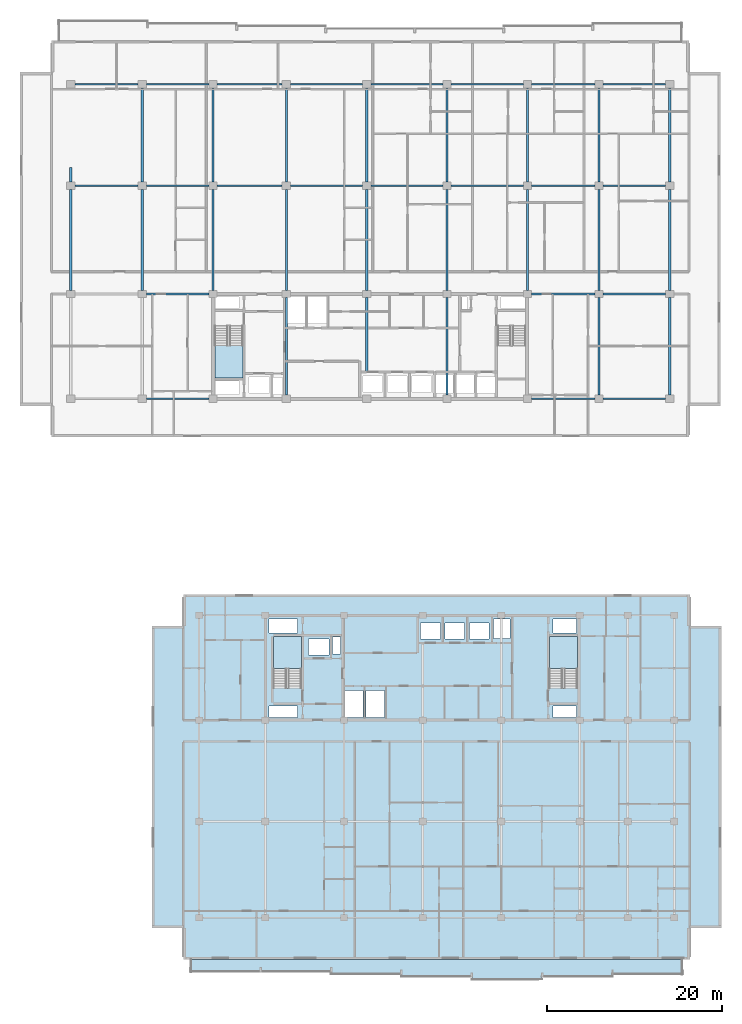
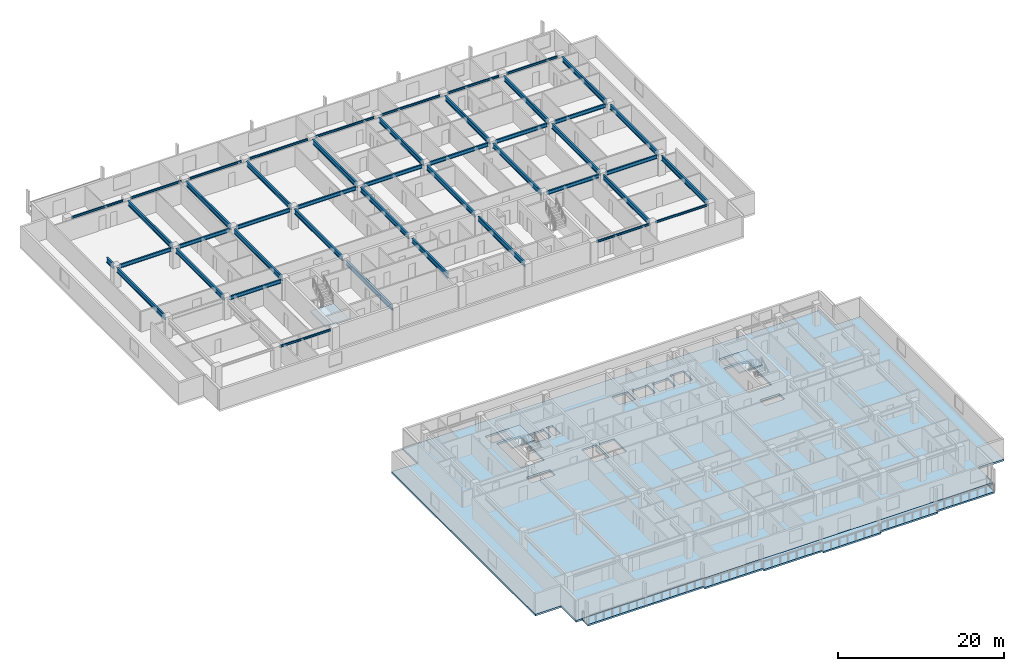
# One storey, part 2 of 21: 45 beams, 5 slabs, 3 elements without a shape of their own.
"""IFC4 building model written with IfcOpenShell, lengths in metres."""

from ifc_helpers import new_model, si_unit, direction, frame, origin, origin_2d, place, context, subcontext, project, spatial, polyline, i_section, outline, extrude, material, layer, layer_set, material_profile, profile_set, type_object, element, aggregate, save


model = new_model("IFC4")

# Units and contexts
model_context = context("Model", 3, precision=1e-05, world=origin(), true_north=direction((0.0, 1.0)))
body_context = subcontext(model_context, "Body", "Model", "MODEL_VIEW")
ifc_project = project(units=[si_unit("LENGTHUNIT", "METRE"), si_unit("AREAUNIT", "SQUARE_METRE"), si_unit("VOLUMEUNIT", "CUBIC_METRE"), si_unit("PLANEANGLEUNIT", "RADIAN"), si_unit("MASSUNIT", "GRAM", prefix="KILO")], contexts=[model_context])

# Site, building, storey
site_placement = place(None, origin())
site = spatial("IfcSite", under=ifc_project, at=site_placement, CompositionType="ELEMENT")
building_placement = place(site_placement, origin())
building = spatial("IfcBuilding", under=site, at=building_placement, Name="Korimba Cascade Residences", CompositionType="ELEMENT")
storey_placement = place(building_placement, frame((0.0, 0.0, 113.300048828125)))
storey = spatial("IfcBuildingStorey", under=building, at=storey_placement, Name="L32", CompositionType="ELEMENT", Elevation=113.300048828125)

# Beams
ifc_material_1 = material(Name="Steel S355", Category="steel")
ifc_material_profile_1 = material_profile(ifc_material_1, i_section(OverallWidth=0.165771484375, OverallDepth=0.306640625, WebThickness=0.006591796875, FlangeThickness=0.01171875, FilletRadius=0.0087890625, at=origin_2d()), Name="Steel S355")
ifc_profile_set_1 = profile_set([ifc_material_profile_1], Name="Steel S355")
beam_type_1 = type_object("IfcBeamType", Name="BM-STL-UB305", PredefinedType="SPANDREL", material=ifc_profile_set_1)
beam_1_placement = place(storey_placement, frame((68.47509765625, 55.199951171875, 2.816650390625), z_axis=(1.0, 0.0, 0.0), x_axis=(0.0, 1.0, 0.0)))
element("IfcBeam", 1, at=beam_1_placement, inside=storey, type_object=beam_type_1, Name="L32 T1 E-W Girder Y1 Bay 2", PredefinedType="SPANDREL", context=body_context, shape_type="SweptSolid", body=[
    extrude(i_section(OverallWidth=0.165771484375, OverallDepth=0.306640625, WebThickness=0.006591796875, FlangeThickness=0.01171875, FilletRadius=0.0087890625, at=origin_2d()), origin(), (0.0, 0.0, 1.0), 7.14990234375),
])
beam_2_placement = place(storey_placement, frame((112.574951171875, 55.199951171875, 2.816650390625), z_axis=(1.0, 0.0, 0.0), x_axis=(0.0, 1.0, 0.0)))
element("IfcBeam", 2, at=beam_2_placement, inside=storey, type_object=beam_type_1, Name="L32 T1 E-W Girder Y1 Bay 7", PredefinedType="SPANDREL", context=body_context, shape_type="SweptSolid", body=[
    extrude(i_section(OverallWidth=0.165771484375, OverallDepth=0.306640625, WebThickness=0.006591796875, FlangeThickness=0.01171875, FilletRadius=0.0087890625, at=origin_2d()), origin(), (0.0, 0.0, 1.0), 7.25),
])
beam_3_placement = place(storey_placement, frame((120.77490234375, 55.199951171875, 2.816650390625), z_axis=(1.0, 0.0, 0.0), x_axis=(0.0, 1.0, 0.0)))
element("IfcBeam", 3, at=beam_3_placement, inside=storey, type_object=beam_type_1, Name="L32 T1 E-W Girder Y1 Bay 8", PredefinedType="SPANDREL", context=body_context, shape_type="SweptSolid", body=[
    extrude(i_section(OverallWidth=0.165771484375, OverallDepth=0.306640625, WebThickness=0.006591796875, FlangeThickness=0.01171875, FilletRadius=0.0087890625, at=origin_2d()), origin(), (0.0, 0.0, 1.0), 7.150146484375),
])
beam_4_placement = place(storey_placement, frame((60.27490234375, 91.199951171875, 2.816650390625), z_axis=(1.0, 0.0, 0.0), x_axis=(0.0, 1.0, 0.0)))
element("IfcBeam", 4, at=beam_4_placement, inside=storey, type_object=beam_type_1, Name="L32 T1 E-W Girder Y4 Bay 1", PredefinedType="SPANDREL", context=body_context, shape_type="SweptSolid", body=[
    extrude(i_section(OverallWidth=0.165771484375, OverallDepth=0.306640625, WebThickness=0.006591796875, FlangeThickness=0.01171875, FilletRadius=0.0087890625, at=origin_2d()), origin(), (0.0, 0.0, 1.0), 7.25),
])
beam_5_placement = place(storey_placement, frame((68.47509765625, 91.199951171875, 2.816650390625), z_axis=(1.0, 0.0, 0.0), x_axis=(0.0, 1.0, 0.0)))
element("IfcBeam", 5, at=beam_5_placement, inside=storey, type_object=beam_type_1, Name="L32 T1 E-W Girder Y4 Bay 2", PredefinedType="SPANDREL", context=body_context, shape_type="SweptSolid", body=[
    extrude(i_section(OverallWidth=0.165771484375, OverallDepth=0.306640625, WebThickness=0.006591796875, FlangeThickness=0.01171875, FilletRadius=0.0087890625, at=origin_2d()), origin(), (0.0, 0.0, 1.0), 7.14990234375),
])
beam_6_placement = place(storey_placement, frame((76.574951171875, 91.199951171875, 2.816650390625), z_axis=(1.0, 0.0, 0.0), x_axis=(0.0, 1.0, 0.0)))
element("IfcBeam", 6, at=beam_6_placement, inside=storey, type_object=beam_type_1, Name="L32 T1 E-W Girder Y4 Bay 3", PredefinedType="SPANDREL", context=body_context, shape_type="SweptSolid", body=[
    extrude(i_section(OverallWidth=0.165771484375, OverallDepth=0.306640625, WebThickness=0.006591796875, FlangeThickness=0.01171875, FilletRadius=0.0087890625, at=origin_2d()), origin(), (0.0, 0.0, 1.0), 7.449951171875),
])
for number, where, z_axis, x_axis, name in (
    (7, (84.97509765625, 91.199951171875, 2.816650390625), (1.0, 0.0, 0.0), (0.0, 1.0, 0.0), "L32 T1 E-W Girder Y4 Bay 4"),
    (8, (94.175048828125, 91.199951171875, 2.816650390625), (1.0, 0.0, 0.0), (0.0, 1.0, 0.0), "L32 T1 E-W Girder Y4 Bay 5"),
    (9, (103.375, 91.199951171875, 2.816650390625), (1.0, 0.0, 0.0), (0.0, 1.0, 0.0), "L32 T1 E-W Girder Y4 Bay 6"),
):
    element("IfcBeam", number, at=place(storey_placement, frame(where, z_axis=z_axis, x_axis=x_axis)), inside=storey, type_object=beam_type_1, Name=name, PredefinedType="SPANDREL", context=body_context, shape_type="SweptSolid", body=[
        extrude(i_section(OverallWidth=0.165771484375, OverallDepth=0.306640625, WebThickness=0.006591796875, FlangeThickness=0.01171875, FilletRadius=0.0087890625, at=origin_2d()), origin(), (0.0, 0.0, 1.0), 8.25),
    ])
beam_7_placement = place(storey_placement, frame((112.574951171875, 91.199951171875, 2.816650390625), z_axis=(1.0, 0.0, 0.0), x_axis=(0.0, 1.0, 0.0)))
element("IfcBeam", 10, at=beam_7_placement, inside=storey, type_object=beam_type_1, Name="L32 T1 E-W Girder Y4 Bay 7", PredefinedType="SPANDREL", context=body_context, shape_type="SweptSolid", body=[
    extrude(i_section(OverallWidth=0.165771484375, OverallDepth=0.306640625, WebThickness=0.006591796875, FlangeThickness=0.01171875, FilletRadius=0.0087890625, at=origin_2d()), origin(), (0.0, 0.0, 1.0), 7.25),
])
beam_8_placement = place(storey_placement, frame((120.77490234375, 91.199951171875, 2.816650390625), z_axis=(1.0, 0.0, 0.0), x_axis=(0.0, 1.0, 0.0)))
element("IfcBeam", 11, at=beam_8_placement, inside=storey, type_object=beam_type_1, Name="L32 T1 E-W Girder Y4 Bay 8", PredefinedType="SPANDREL", context=body_context, shape_type="SweptSolid", body=[
    extrude(i_section(OverallWidth=0.165771484375, OverallDepth=0.306640625, WebThickness=0.006591796875, FlangeThickness=0.01171875, FilletRadius=0.0087890625, at=origin_2d()), origin(), (0.0, 0.0, 1.0), 7.150146484375),
])
ifc_material_profile_2 = material_profile(ifc_material_1, i_section(OverallWidth=0.2099609375, OverallDepth=0.53662109375, WebThickness=0.0107421875, FlangeThickness=0.017333984375, FilletRadius=0.0126953125, at=origin_2d()), Name="Steel S355")
ifc_profile_set_2 = profile_set([ifc_material_profile_2], Name="Steel S355")
beam_type_2 = type_object("IfcBeamType", Name="BM-STL-UB533", PredefinedType="BEAM", material=ifc_profile_set_2)
beam_9_placement = place(storey_placement, frame((68.47509765625, 67.199951171875, 2.70166015625), z_axis=(1.0, 0.0, 0.0), x_axis=(0.0, 1.0, 0.0)))
element("IfcBeam", 12, at=beam_9_placement, inside=storey, type_object=beam_type_2, Name="L32 T1 E-W Girder Y2 Bay 2", PredefinedType="BEAM", context=body_context, shape_type="SweptSolid", body=[
    extrude(i_section(OverallWidth=0.2099609375, OverallDepth=0.53662109375, WebThickness=0.0107421875, FlangeThickness=0.017333984375, FilletRadius=0.0126953125, at=origin_2d()), origin(), (0.0, 0.0, 1.0), 7.14990234375),
])
beam_10_placement = place(storey_placement, frame((112.574951171875, 67.199951171875, 2.70166015625), z_axis=(1.0, 0.0, 0.0), x_axis=(0.0, 1.0, 0.0)))
element("IfcBeam", 13, at=beam_10_placement, inside=storey, type_object=beam_type_2, Name="L32 T1 E-W Girder Y2 Bay 7", PredefinedType="BEAM", context=body_context, shape_type="SweptSolid", body=[
    extrude(i_section(OverallWidth=0.2099609375, OverallDepth=0.53662109375, WebThickness=0.0107421875, FlangeThickness=0.017333984375, FilletRadius=0.0126953125, at=origin_2d()), origin(), (0.0, 0.0, 1.0), 7.25),
])
beam_11_placement = place(storey_placement, frame((120.77490234375, 67.199951171875, 2.70166015625), z_axis=(1.0, 0.0, 0.0), x_axis=(0.0, 1.0, 0.0)))
element("IfcBeam", 14, at=beam_11_placement, inside=storey, type_object=beam_type_2, Name="L32 T1 E-W Girder Y2 Bay 8", PredefinedType="BEAM", context=body_context, shape_type="SweptSolid", body=[
    extrude(i_section(OverallWidth=0.2099609375, OverallDepth=0.53662109375, WebThickness=0.0107421875, FlangeThickness=0.017333984375, FilletRadius=0.0126953125, at=origin_2d()), origin(), (0.0, 0.0, 1.0), 7.150146484375),
])
beam_12_placement = place(storey_placement, frame((60.27490234375, 79.60009765625, 2.70166015625), z_axis=(1.0, 0.0, 0.0), x_axis=(0.0, 1.0, 0.0)))
element("IfcBeam", 15, at=beam_12_placement, inside=storey, type_object=beam_type_2, Name="L32 T1 E-W Girder Y3 Bay 1", PredefinedType="BEAM", context=body_context, shape_type="SweptSolid", body=[
    extrude(i_section(OverallWidth=0.2099609375, OverallDepth=0.53662109375, WebThickness=0.0107421875, FlangeThickness=0.017333984375, FilletRadius=0.0126953125, at=origin_2d()), origin(), (0.0, 0.0, 1.0), 7.25),
])
beam_13_placement = place(storey_placement, frame((68.47509765625, 79.60009765625, 2.70166015625), z_axis=(1.0, 0.0, 0.0), x_axis=(0.0, 1.0, 0.0)))
element("IfcBeam", 16, at=beam_13_placement, inside=storey, type_object=beam_type_2, Name="L32 T1 E-W Girder Y3 Bay 2", PredefinedType="BEAM", context=body_context, shape_type="SweptSolid", body=[
    extrude(i_section(OverallWidth=0.2099609375, OverallDepth=0.53662109375, WebThickness=0.0107421875, FlangeThickness=0.017333984375, FilletRadius=0.0126953125, at=origin_2d()), origin(), (0.0, 0.0, 1.0), 7.14990234375),
])
beam_14_placement = place(storey_placement, frame((76.574951171875, 79.60009765625, 2.70166015625), z_axis=(1.0, 0.0, 0.0), x_axis=(0.0, 1.0, 0.0)))
element("IfcBeam", 17, at=beam_14_placement, inside=storey, type_object=beam_type_2, Name="L32 T1 E-W Girder Y3 Bay 3", PredefinedType="BEAM", context=body_context, shape_type="SweptSolid", body=[
    extrude(i_section(OverallWidth=0.2099609375, OverallDepth=0.53662109375, WebThickness=0.0107421875, FlangeThickness=0.017333984375, FilletRadius=0.0126953125, at=origin_2d()), origin(), (0.0, 0.0, 1.0), 7.449951171875),
])
for number, where, z_axis, x_axis, name in (
    (18, (84.97509765625, 79.60009765625, 2.70166015625), (1.0, 0.0, 0.0), (0.0, 1.0, 0.0), "L32 T1 E-W Girder Y3 Bay 4"),
    (19, (94.175048828125, 79.60009765625, 2.70166015625), (1.0, 0.0, 0.0), (0.0, 1.0, 0.0), "L32 T1 E-W Girder Y3 Bay 5"),
    (20, (103.375, 79.60009765625, 2.70166015625), (1.0, 0.0, 0.0), (0.0, 1.0, 0.0), "L32 T1 E-W Girder Y3 Bay 6"),
):
    element("IfcBeam", number, at=place(storey_placement, frame(where, z_axis=z_axis, x_axis=x_axis)), inside=storey, type_object=beam_type_2, Name=name, PredefinedType="BEAM", context=body_context, shape_type="SweptSolid", body=[
        extrude(i_section(OverallWidth=0.2099609375, OverallDepth=0.53662109375, WebThickness=0.0107421875, FlangeThickness=0.017333984375, FilletRadius=0.0126953125, at=origin_2d()), origin(), (0.0, 0.0, 1.0), 8.25),
    ])
beam_15_placement = place(storey_placement, frame((112.574951171875, 79.60009765625, 2.70166015625), z_axis=(1.0, 0.0, 0.0), x_axis=(0.0, 1.0, 0.0)))
element("IfcBeam", 21, at=beam_15_placement, inside=storey, type_object=beam_type_2, Name="L32 T1 E-W Girder Y3 Bay 7", PredefinedType="BEAM", context=body_context, shape_type="SweptSolid", body=[
    extrude(i_section(OverallWidth=0.2099609375, OverallDepth=0.53662109375, WebThickness=0.0107421875, FlangeThickness=0.017333984375, FilletRadius=0.0126953125, at=origin_2d()), origin(), (0.0, 0.0, 1.0), 7.25),
])
beam_16_placement = place(storey_placement, frame((120.77490234375, 79.60009765625, 2.70166015625), z_axis=(1.0, 0.0, 0.0), x_axis=(0.0, 1.0, 0.0)))
element("IfcBeam", 22, at=beam_16_placement, inside=storey, type_object=beam_type_2, Name="L32 T1 E-W Girder Y3 Bay 8", PredefinedType="BEAM", context=body_context, shape_type="SweptSolid", body=[
    extrude(i_section(OverallWidth=0.2099609375, OverallDepth=0.53662109375, WebThickness=0.0107421875, FlangeThickness=0.017333984375, FilletRadius=0.0126953125, at=origin_2d()), origin(), (0.0, 0.0, 1.0), 7.150146484375),
])
ifc_material_profile_3 = material_profile(ifc_material_1, i_section(OverallWidth=0.255859375, OverallDepth=0.69287109375, WebThickness=0.014404296875, FlangeThickness=0.023681640625, FilletRadius=0.01513671875, at=origin_2d()), Name="Steel S355")
ifc_profile_set_3 = profile_set([ifc_material_profile_3], Name="Steel S355")
beam_type_3 = type_object("IfcBeamType", Name="BM-STL-UB686", PredefinedType="BEAM", material=ifc_profile_set_3)
beam_17_placement = place(storey_placement, frame((59.800048828125, 67.625, 2.62353515625), z_axis=(0.0, 1.0, 0.0), x_axis=(-1.0, 0.0, 0.0)))
element("IfcBeam", 23, at=beam_17_placement, inside=storey, type_object=beam_type_3, Name="L32 T1 N-S Girder X1 Seg 2", PredefinedType="BEAM", context=body_context, shape_type="SweptSolid", body=[
    extrude(i_section(OverallWidth=0.255859375, OverallDepth=0.69287109375, WebThickness=0.014404296875, FlangeThickness=0.023681640625, FilletRadius=0.01513671875, at=origin_2d()), origin(), (0.0, 0.0, 1.0), 11.550048828125),
])
beam_18_placement = place(storey_placement, frame((59.800048828125, 80.02490234375, 2.62353515625), z_axis=(0.0, 1.0, 0.0), x_axis=(-1.0, 0.0, 0.0)))
element("IfcBeam", 24, at=beam_18_placement, inside=storey, type_object=beam_type_3, Name="L32 T1 N-S Girder X1 Seg 3", PredefinedType="BEAM", context=body_context, shape_type="SweptSolid", body=[
    extrude(i_section(OverallWidth=0.255859375, OverallDepth=0.69287109375, WebThickness=0.014404296875, FlangeThickness=0.023681640625, FilletRadius=0.01513671875, at=origin_2d()), origin(), (0.0, 0.0, 1.0), 1.675048828125),
])
beam_19_placement = place(storey_placement, frame((68.0, 67.625, 2.62353515625), z_axis=(0.0, 1.0, 0.0), x_axis=(-1.0, 0.0, 0.0)))
element("IfcBeam", 25, at=beam_19_placement, inside=storey, type_object=beam_type_3, Name="L32 T1 N-S Girder X2 Seg 2", PredefinedType="BEAM", context=body_context, shape_type="SweptSolid", body=[
    extrude(i_section(OverallWidth=0.255859375, OverallDepth=0.69287109375, WebThickness=0.014404296875, FlangeThickness=0.023681640625, FilletRadius=0.01513671875, at=origin_2d()), origin(), (0.0, 0.0, 1.0), 11.550048828125),
])
beam_20_placement = place(storey_placement, frame((68.0, 80.02490234375, 2.62353515625), z_axis=(0.0, 1.0, 0.0), x_axis=(-1.0, 0.0, 0.0)))
element("IfcBeam", 26, at=beam_20_placement, inside=storey, type_object=beam_type_3, Name="L32 T1 N-S Girder X2 Seg 3", PredefinedType="BEAM", context=body_context, shape_type="SweptSolid", body=[
    extrude(i_section(OverallWidth=0.255859375, OverallDepth=0.69287109375, WebThickness=0.014404296875, FlangeThickness=0.023681640625, FilletRadius=0.01513671875, at=origin_2d()), origin(), (0.0, 0.0, 1.0), 10.75),
])
beam_21_placement = place(storey_placement, frame((76.10009765625, 67.625, 2.62353515625), z_axis=(0.0, 1.0, 0.0), x_axis=(-1.0, 0.0, 0.0)))
element("IfcBeam", 27, at=beam_21_placement, inside=storey, type_object=beam_type_3, Name="L32 T1 N-S Girder X3 Seg 2", PredefinedType="BEAM", context=body_context, shape_type="SweptSolid", body=[
    extrude(i_section(OverallWidth=0.255859375, OverallDepth=0.69287109375, WebThickness=0.014404296875, FlangeThickness=0.023681640625, FilletRadius=0.01513671875, at=origin_2d()), origin(), (0.0, 0.0, 1.0), 11.550048828125),
])
beam_22_placement = place(storey_placement, frame((76.10009765625, 80.02490234375, 2.62353515625), z_axis=(0.0, 1.0, 0.0), x_axis=(-1.0, 0.0, 0.0)))
element("IfcBeam", 28, at=beam_22_placement, inside=storey, type_object=beam_type_3, Name="L32 T1 N-S Girder X3 Seg 3", PredefinedType="BEAM", context=body_context, shape_type="SweptSolid", body=[
    extrude(i_section(OverallWidth=0.255859375, OverallDepth=0.69287109375, WebThickness=0.014404296875, FlangeThickness=0.023681640625, FilletRadius=0.01513671875, at=origin_2d()), origin(), (0.0, 0.0, 1.0), 10.75),
])
beam_23_placement = place(storey_placement, frame((84.5, 55.625, 2.62353515625), z_axis=(0.0, 1.0, 0.0), x_axis=(-1.0, 0.0, 0.0)))
element("IfcBeam", 29, at=beam_23_placement, inside=storey, type_object=beam_type_3, Name="L32 T1 N-S Girder X4 Seg 1", PredefinedType="BEAM", context=body_context, shape_type="SweptSolid", body=[
    extrude(i_section(OverallWidth=0.255859375, OverallDepth=0.69287109375, WebThickness=0.014404296875, FlangeThickness=0.023681640625, FilletRadius=0.01513671875, at=origin_2d()), origin(), (0.0, 0.0, 1.0), 11.14990234375),
])
beam_24_placement = place(storey_placement, frame((84.5, 67.625, 2.62353515625), z_axis=(0.0, 1.0, 0.0), x_axis=(-1.0, 0.0, 0.0)))
element("IfcBeam", 30, at=beam_24_placement, inside=storey, type_object=beam_type_3, Name="L32 T1 N-S Girder X4 Seg 2", PredefinedType="BEAM", context=body_context, shape_type="SweptSolid", body=[
    extrude(i_section(OverallWidth=0.255859375, OverallDepth=0.69287109375, WebThickness=0.014404296875, FlangeThickness=0.023681640625, FilletRadius=0.01513671875, at=origin_2d()), origin(), (0.0, 0.0, 1.0), 11.550048828125),
])
beam_25_placement = place(storey_placement, frame((84.5, 80.02490234375, 2.62353515625), z_axis=(0.0, 1.0, 0.0), x_axis=(-1.0, 0.0, 0.0)))
element("IfcBeam", 31, at=beam_25_placement, inside=storey, type_object=beam_type_3, Name="L32 T1 N-S Girder X4 Seg 3", PredefinedType="BEAM", context=body_context, shape_type="SweptSolid", body=[
    extrude(i_section(OverallWidth=0.255859375, OverallDepth=0.69287109375, WebThickness=0.014404296875, FlangeThickness=0.023681640625, FilletRadius=0.01513671875, at=origin_2d()), origin(), (0.0, 0.0, 1.0), 10.75),
])
beam_26_placement = place(storey_placement, frame((93.699951171875, 58.159912109375, 2.62353515625), z_axis=(0.0, 1.0, 0.0), x_axis=(-1.0, 0.0, 0.0)))
element("IfcBeam", 32, at=beam_26_placement, inside=storey, type_object=beam_type_3, Name="L32 T1 N-S Girder X5 Seg 1", PredefinedType="BEAM", context=body_context, shape_type="SweptSolid", body=[
    extrude(i_section(OverallWidth=0.255859375, OverallDepth=0.69287109375, WebThickness=0.014404296875, FlangeThickness=0.023681640625, FilletRadius=0.01513671875, at=origin_2d()), origin(), (0.0, 0.0, 1.0), 8.614990234375),
])
beam_27_placement = place(storey_placement, frame((93.699951171875, 67.625, 2.62353515625), z_axis=(0.0, 1.0, 0.0), x_axis=(-1.0, 0.0, 0.0)))
element("IfcBeam", 33, at=beam_27_placement, inside=storey, type_object=beam_type_3, Name="L32 T1 N-S Girder X5 Seg 2", PredefinedType="BEAM", context=body_context, shape_type="SweptSolid", body=[
    extrude(i_section(OverallWidth=0.255859375, OverallDepth=0.69287109375, WebThickness=0.014404296875, FlangeThickness=0.023681640625, FilletRadius=0.01513671875, at=origin_2d()), origin(), (0.0, 0.0, 1.0), 11.550048828125),
])
beam_28_placement = place(storey_placement, frame((93.699951171875, 80.02490234375, 2.62353515625), z_axis=(0.0, 1.0, 0.0), x_axis=(-1.0, 0.0, 0.0)))
element("IfcBeam", 34, at=beam_28_placement, inside=storey, type_object=beam_type_3, Name="L32 T1 N-S Girder X5 Seg 3", PredefinedType="BEAM", context=body_context, shape_type="SweptSolid", body=[
    extrude(i_section(OverallWidth=0.255859375, OverallDepth=0.69287109375, WebThickness=0.014404296875, FlangeThickness=0.023681640625, FilletRadius=0.01513671875, at=origin_2d()), origin(), (0.0, 0.0, 1.0), 10.75),
])
beam_29_placement = place(storey_placement, frame((102.89990234375, 55.625, 2.62353515625), z_axis=(0.0, 1.0, 0.0), x_axis=(-1.0, 0.0, 0.0)))
element("IfcBeam", 35, at=beam_29_placement, inside=storey, type_object=beam_type_3, Name="L32 T1 N-S Girder X6 Seg 1", PredefinedType="BEAM", context=body_context, shape_type="SweptSolid", body=[
    extrude(i_section(OverallWidth=0.255859375, OverallDepth=0.69287109375, WebThickness=0.014404296875, FlangeThickness=0.023681640625, FilletRadius=0.01513671875, at=origin_2d()), origin(), (0.0, 0.0, 1.0), 11.14990234375),
])
beam_30_placement = place(storey_placement, frame((102.89990234375, 67.625, 2.62353515625), z_axis=(0.0, 1.0, 0.0), x_axis=(-1.0, 0.0, 0.0)))
element("IfcBeam", 36, at=beam_30_placement, inside=storey, type_object=beam_type_3, Name="L32 T1 N-S Girder X6 Seg 2", PredefinedType="BEAM", context=body_context, shape_type="SweptSolid", body=[
    extrude(i_section(OverallWidth=0.255859375, OverallDepth=0.69287109375, WebThickness=0.014404296875, FlangeThickness=0.023681640625, FilletRadius=0.01513671875, at=origin_2d()), origin(), (0.0, 0.0, 1.0), 11.550048828125),
])
beam_31_placement = place(storey_placement, frame((102.89990234375, 80.02490234375, 2.62353515625), z_axis=(0.0, 1.0, 0.0), x_axis=(-1.0, 0.0, 0.0)))
element("IfcBeam", 37, at=beam_31_placement, inside=storey, type_object=beam_type_3, Name="L32 T1 N-S Girder X6 Seg 3", PredefinedType="BEAM", context=body_context, shape_type="SweptSolid", body=[
    extrude(i_section(OverallWidth=0.255859375, OverallDepth=0.69287109375, WebThickness=0.014404296875, FlangeThickness=0.023681640625, FilletRadius=0.01513671875, at=origin_2d()), origin(), (0.0, 0.0, 1.0), 10.75),
])
beam_32_placement = place(storey_placement, frame((112.10009765625, 67.625, 2.62353515625), z_axis=(0.0, 1.0, 0.0), x_axis=(-1.0, 0.0, 0.0)))
element("IfcBeam", 38, at=beam_32_placement, inside=storey, type_object=beam_type_3, Name="L32 T1 N-S Girder X7 Seg 2", PredefinedType="BEAM", context=body_context, shape_type="SweptSolid", body=[
    extrude(i_section(OverallWidth=0.255859375, OverallDepth=0.69287109375, WebThickness=0.014404296875, FlangeThickness=0.023681640625, FilletRadius=0.01513671875, at=origin_2d()), origin(), (0.0, 0.0, 1.0), 11.550048828125),
])
beam_33_placement = place(storey_placement, frame((112.10009765625, 80.02490234375, 2.62353515625), z_axis=(0.0, 1.0, 0.0), x_axis=(-1.0, 0.0, 0.0)))
element("IfcBeam", 39, at=beam_33_placement, inside=storey, type_object=beam_type_3, Name="L32 T1 N-S Girder X7 Seg 3", PredefinedType="BEAM", context=body_context, shape_type="SweptSolid", body=[
    extrude(i_section(OverallWidth=0.255859375, OverallDepth=0.69287109375, WebThickness=0.014404296875, FlangeThickness=0.023681640625, FilletRadius=0.01513671875, at=origin_2d()), origin(), (0.0, 0.0, 1.0), 10.75),
])
beam_34_placement = place(storey_placement, frame((120.300048828125, 55.625, 2.62353515625), z_axis=(0.0, 1.0, 0.0), x_axis=(-1.0, 0.0, 0.0)))
element("IfcBeam", 40, at=beam_34_placement, inside=storey, type_object=beam_type_3, Name="L32 T1 N-S Girder X8 Seg 1", PredefinedType="BEAM", context=body_context, shape_type="SweptSolid", body=[
    extrude(i_section(OverallWidth=0.255859375, OverallDepth=0.69287109375, WebThickness=0.014404296875, FlangeThickness=0.023681640625, FilletRadius=0.01513671875, at=origin_2d()), origin(), (0.0, 0.0, 1.0), 11.14990234375),
])
beam_35_placement = place(storey_placement, frame((120.300048828125, 67.625, 2.62353515625), z_axis=(0.0, 1.0, 0.0), x_axis=(-1.0, 0.0, 0.0)))
element("IfcBeam", 41, at=beam_35_placement, inside=storey, type_object=beam_type_3, Name="L32 T1 N-S Girder X8 Seg 2", PredefinedType="BEAM", context=body_context, shape_type="SweptSolid", body=[
    extrude(i_section(OverallWidth=0.255859375, OverallDepth=0.69287109375, WebThickness=0.014404296875, FlangeThickness=0.023681640625, FilletRadius=0.01513671875, at=origin_2d()), origin(), (0.0, 0.0, 1.0), 11.550048828125),
])
beam_36_placement = place(storey_placement, frame((120.300048828125, 80.02490234375, 2.62353515625), z_axis=(0.0, 1.0, 0.0), x_axis=(-1.0, 0.0, 0.0)))
element("IfcBeam", 42, at=beam_36_placement, inside=storey, type_object=beam_type_3, Name="L32 T1 N-S Girder X8 Seg 3", PredefinedType="BEAM", context=body_context, shape_type="SweptSolid", body=[
    extrude(i_section(OverallWidth=0.255859375, OverallDepth=0.69287109375, WebThickness=0.014404296875, FlangeThickness=0.023681640625, FilletRadius=0.01513671875, at=origin_2d()), origin(), (0.0, 0.0, 1.0), 10.75),
])
beam_37_placement = place(storey_placement, frame((128.39990234375, 55.625, 2.62353515625), z_axis=(0.0, 1.0, 0.0), x_axis=(-1.0, 0.0, 0.0)))
element("IfcBeam", 43, at=beam_37_placement, inside=storey, type_object=beam_type_3, Name="L32 T1 N-S Girder X9 Seg 1", PredefinedType="BEAM", context=body_context, shape_type="SweptSolid", body=[
    extrude(i_section(OverallWidth=0.255859375, OverallDepth=0.69287109375, WebThickness=0.014404296875, FlangeThickness=0.023681640625, FilletRadius=0.01513671875, at=origin_2d()), origin(), (0.0, 0.0, 1.0), 11.14990234375),
])
beam_38_placement = place(storey_placement, frame((128.39990234375, 67.625, 2.62353515625), z_axis=(0.0, 1.0, 0.0), x_axis=(-1.0, 0.0, 0.0)))
element("IfcBeam", 44, at=beam_38_placement, inside=storey, type_object=beam_type_3, Name="L32 T1 N-S Girder X9 Seg 2", PredefinedType="BEAM", context=body_context, shape_type="SweptSolid", body=[
    extrude(i_section(OverallWidth=0.255859375, OverallDepth=0.69287109375, WebThickness=0.014404296875, FlangeThickness=0.023681640625, FilletRadius=0.01513671875, at=origin_2d()), origin(), (0.0, 0.0, 1.0), 11.550048828125),
])
beam_39_placement = place(storey_placement, frame((128.39990234375, 80.02490234375, 2.62353515625), z_axis=(0.0, 1.0, 0.0), x_axis=(-1.0, 0.0, 0.0)))
element("IfcBeam", 45, at=beam_39_placement, inside=storey, type_object=beam_type_3, Name="L32 T1 N-S Girder X9 Seg 3", PredefinedType="BEAM", context=body_context, shape_type="SweptSolid", body=[
    extrude(i_section(OverallWidth=0.255859375, OverallDepth=0.69287109375, WebThickness=0.014404296875, FlangeThickness=0.023681640625, FilletRadius=0.01513671875, at=origin_2d()), origin(), (0.0, 0.0, 1.0), 10.75),
])

# Stair, slab
ifc_material_2 = material(Name="Concrete C50/60", Category="concrete")
stair_type_1 = type_object("IfcStairType", Name="STR-W1-18R-1806", PredefinedType="HALF_TURN_STAIR", material=ifc_material_2)
stair_1_placement = place(storey_placement, origin())
stair_1 = element("IfcStair", 46, at=stair_1_placement, inside=storey, type_object=stair_type_1, Name="L32 Tower 1 West Fire Stair ST-W1", PredefinedType="HALF_TURN_STAIR")
ifc_layer_1 = layer(ifc_material_2, 0.199951171875)
ifc_layer_set_1 = layer_set([ifc_layer_1], Name="Concrete C50/60")
slab_type_1 = type_object("IfcSlabType", Name="SLB-LND-220", PredefinedType="LANDING", material=ifc_layer_set_1)
slab_1_placement = place(storey_placement, frame((0.0, 0.0, 1.425048828125)))
slab_1 = element("IfcSlab", 47, at=slab_1_placement, type_object=slab_type_1, Name="ST-W1 landing 1", PredefinedType="LANDING", context=body_context, shape_type="SweptSolid", body=[
    extrude(outline(polyline([(76.300048828125, 61.31005859375), (76.300048828125, 57.60009765625), (79.5400390625, 57.60009765625), (79.5400390625, 61.31005859375), (76.300048828125, 61.31005859375)])), origin(), (0.0, 0.0, 1.0), 0.199951171875),
])
aggregate(stair_1, [slab_1])

stair_type_2 = type_object("IfcStairType", Name="STR-E1-18R-1806", PredefinedType="HALF_TURN_STAIR", material=ifc_material_2)
stair_2_placement = place(storey_placement, origin())
stair_2 = element("IfcStair", 48, at=stair_2_placement, inside=storey, type_object=stair_type_2, Name="L32 Tower 2 West Fire Stair ST-E1", PredefinedType="HALF_TURN_STAIR")
slab_2_placement = place(storey_placement, frame((0.0, 0.0, 1.425048828125)))
slab_2 = element("IfcSlab", 49, at=slab_2_placement, type_object=slab_type_1, Name="ST-E1 landing 1", PredefinedType="LANDING", context=body_context, shape_type="SweptSolid", body=[
    extrude(outline(polyline([(86.239990234375, 24.2900390625), (86.239990234375, 28.0), (83.0, 28.0), (83.0, 24.2900390625), (86.239990234375, 24.2900390625)])), origin(), (0.0, 0.0, 1.0), 0.199951171875),
])
aggregate(stair_2, [slab_2])

stair_type_3 = type_object("IfcStairType", Name="STR-E2-18R-1806", PredefinedType="HALF_TURN_STAIR", material=ifc_material_2)
stair_3_placement = place(storey_placement, origin())
stair_3 = element("IfcStair", 50, at=stair_3_placement, inside=storey, type_object=stair_type_3, Name="L32 Tower 2 East Fire Stair ST-E2", PredefinedType="HALF_TURN_STAIR")
slab_3_placement = place(storey_placement, frame((0.0, 0.0, 1.425048828125)))
slab_3 = element("IfcSlab", 51, at=slab_3_placement, type_object=slab_type_1, Name="ST-E2 landing 1", PredefinedType="LANDING", context=body_context, shape_type="SweptSolid", body=[
    extrude(outline(polyline([(117.840087890625, 24.2900390625), (117.840087890625, 28.0), (114.60009765625, 28.0), (114.60009765625, 24.2900390625), (117.840087890625, 24.2900390625)])), origin(), (0.0, 0.0, 1.0), 0.199951171875),
])
aggregate(stair_3, [slab_3])

# Slabs
ifc_material_3 = material(Name="Precast concrete C40/50", Category="concrete")
ifc_layer_2 = layer(ifc_material_3, 0.239990234375)
ifc_layer_set_2 = layer_set([ifc_layer_2], Name="Precast concrete C40/50")
slab_type_2 = type_object("IfcSlabType", Name="SLB-LOG-240", PredefinedType="FLOOR", material=ifc_layer_set_2)
slab_4_placement = place(storey_placement, frame((0.0, 0.0, -0.239990234375)))
element("IfcSlab", 52, at=slab_4_placement, inside=storey, type_object=slab_type_2, Name="L32 Tower 2 South Loggia Slab", PredefinedType="FLOOR", context=body_context, shape_type="SweptSolid", body=[
    extrude(outline(polyline([(73.5, -10.449951171875), (89.6142578125, -10.449951171875), (89.6142578125, -10.75), (97.67138671875, -10.75), (97.67138671875, -11.050048828125), (105.728515625, -11.050048828125), (105.728515625, -11.35009765625), (113.78564453125, -11.35009765625), (113.78564453125, -11.050048828125), (121.843017578125, -11.050048828125), (121.843017578125, -10.75), (129.89990234375, -10.75), (129.89990234375, -9.0), (73.5, -9.0), (73.5, -10.449951171875)])), origin(), (0.0, 0.0, 1.0), 0.239990234375),
])
ifc_layer_3 = layer(ifc_material_2, 0.280029296875)
ifc_layer_set_3 = layer_set([ifc_layer_3], Name="Concrete C50/60")
slab_type_3 = type_object("IfcSlabType", Name="SLB-TYP-280", PredefinedType="FLOOR", material=ifc_layer_set_3)
slab_5_placement = place(storey_placement, frame((0.0, 0.0, -0.280029296875)))
element("IfcSlab", 53, at=slab_5_placement, inside=storey, type_object=slab_type_3, Name="L32 Tower 2 Floor Slab", PredefinedType="FLOOR", context=body_context, shape_type="SweptSolid", body=[
    extrude(outline(polyline([(72.699951171875, -9.0), (130.699951171875, -9.0), (130.699951171875, -5.39990234375), (134.300048828125, -5.39990234375), (134.300048828125, 29.199951171875), (130.699951171875, 29.199951171875), (130.699951171875, 32.800048828125), (72.699951171875, 32.800048828125), (72.699951171875, 29.199951171875), (69.10009765625, 29.199951171875), (69.10009765625, -5.39990234375), (72.699951171875, -5.39990234375), (72.699951171875, -9.0)]), holes=[polyline([(86.239990234375, 22.0849609375), (86.239990234375, 28.0), (83.0, 28.0), (83.0, 22.0849609375), (86.239990234375, 22.0849609375)]), polyline([(117.840087890625, 22.0849609375), (117.840087890625, 28.0), (114.60009765625, 28.0), (114.60009765625, 22.0849609375), (117.840087890625, 22.0849609375)]), polyline([(87.030029296875, 25.8798828125), (89.3701171875, 25.8798828125), (89.3701171875, 27.719970703125), (87.030029296875, 27.719970703125), (87.030029296875, 25.8798828125)]), polyline([(99.8798828125, 27.679931640625), (102.1201171875, 27.679931640625), (102.1201171875, 29.52001953125), (99.8798828125, 29.52001953125), (99.8798828125, 27.679931640625)]), polyline([(102.679931640625, 27.679931640625), (104.919921875, 27.679931640625), (104.919921875, 29.52001953125), (102.679931640625, 29.52001953125), (102.679931640625, 27.679931640625)]), polyline([(105.47998046875, 27.679931640625), (107.719970703125, 27.679931640625), (107.719970703125, 29.52001953125), (105.47998046875, 29.52001953125), (105.47998046875, 27.679931640625)]), polyline([(89.780029296875, 25.97998046875), (90.719970703125, 25.97998046875), (90.719970703125, 27.919921875), (89.780029296875, 27.919921875), (89.780029296875, 25.97998046875)]), polyline([(82.530029296875, 18.72998046875), (85.800048828125, 18.72998046875), (85.800048828125, 20.0400390625), (82.530029296875, 20.0400390625), (82.530029296875, 18.72998046875)]), polyline([(82.530029296875, 28.360107421875), (85.800048828125, 28.360107421875), (85.800048828125, 29.969970703125), (82.530029296875, 29.969970703125), (82.530029296875, 28.360107421875)]), polyline([(108.22998046875, 27.780029296875), (110.1201171875, 27.780029296875), (110.1201171875, 29.969970703125), (108.22998046875, 29.969970703125), (108.22998046875, 27.780029296875)]), polyline([(91.22998046875, 18.72998046875), (93.27001953125, 18.72998046875), (93.27001953125, 21.780029296875), (91.22998046875, 21.780029296875), (91.22998046875, 18.72998046875)]), polyline([(93.6298828125, 18.72998046875), (95.719970703125, 18.72998046875), (95.719970703125, 21.780029296875), (93.6298828125, 21.780029296875), (93.6298828125, 18.72998046875)]), polyline([(115.02001953125, 18.72998046875), (117.739990234375, 18.72998046875), (117.739990234375, 20.0400390625), (115.02001953125, 20.0400390625), (115.02001953125, 18.72998046875)]), polyline([(115.02001953125, 28.360107421875), (117.739990234375, 28.360107421875), (117.739990234375, 29.969970703125), (115.02001953125, 29.969970703125), (115.02001953125, 28.360107421875)])]), origin(), (0.0, 0.0, 1.0), 0.280029296875),
])

save(model, "model.ifc")
